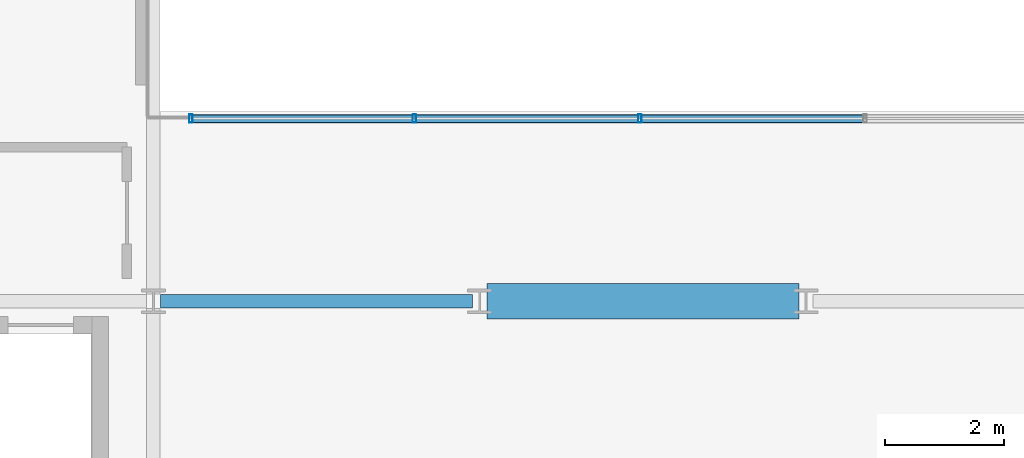
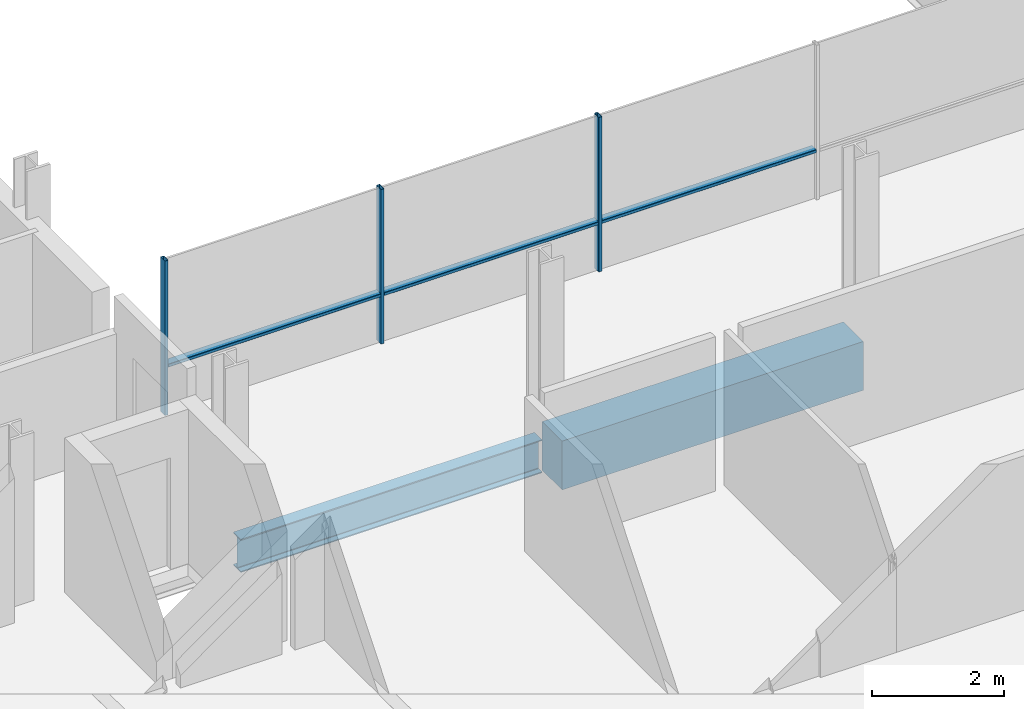
# One storey, part 4 of 40: 6 members, 2 beams, 1 element without a shape of its own.
"""IFC4 building model written with IfcOpenShell, lengths in metres."""

from ifc_helpers import new_model, si_unit, direction, frame, origin, origin_2d, place, context, subcontext, project, spatial, rectangle, hollow_rectangle, i_section, extrude, material, layer, layer_set, material_profile, profile_set, type_object, element, aggregate, save


model = new_model("IFC4")

# Units and contexts
model_context = context("Model", 3, precision=1e-05, world=origin(), true_north=direction((0.0, 1.0)))
body_context = subcontext(model_context, "Body", "Model", "MODEL_VIEW")
ifc_project = project(units=[si_unit("LENGTHUNIT", "METRE"), si_unit("AREAUNIT", "SQUARE_METRE"), si_unit("VOLUMEUNIT", "CUBIC_METRE"), si_unit("PLANEANGLEUNIT", "RADIAN"), si_unit("MASSUNIT", "GRAM", prefix="KILO")], contexts=[model_context])

# Site, building, storey
site_placement = place(None, origin())
site = spatial("IfcSite", under=ifc_project, at=site_placement, CompositionType="ELEMENT")
building_placement = place(site_placement, origin())
building = spatial("IfcBuilding", under=site, at=building_placement, Name="Brevholm Reach", CompositionType="ELEMENT")
storey_placement = place(building_placement, frame((0.0, 0.0, 131.39990234375)))
storey = spatial("IfcBuildingStorey", under=building, at=storey_placement, Name="L39", CompositionType="ELEMENT", Elevation=131.39990234375)

# Beams
ifc_material_1 = material(Name="Concrete C50/60", Category="concrete")
ifc_material_profile_1 = material_profile(ifc_material_1, rectangle(XDim=0.60009765625, YDim=0.89990234375, at=origin_2d()), Name="RC 600x900")
ifc_profile_set_1 = profile_set([ifc_material_profile_1], Name="Concrete C50/60")
beam_type_1 = type_object("IfcBeamType", Name="BM-CB600", PredefinedType="LINTEL", material=ifc_profile_set_1)
beam_1_placement = place(storey_placement, frame((27.3701171875, 10.0, -0.669921875), z_axis=(1.0, 0.0, 0.0), x_axis=(0.0, 1.0, 0.0)))
element("IfcBeam", 1, at=beam_1_placement, inside=storey, type_object=beam_type_1, Name="L39 CB-02 Framing Beam", PredefinedType="LINTEL", context=body_context, shape_type="SweptSolid", body=[
    extrude(rectangle(XDim=0.60009765625, YDim=0.89990234375, at=origin_2d()), origin(), (0.0, 0.0, 1.0), 5.259765625),
])
ifc_material_2 = material(Name="Structural Steel S355J2", Category="steel")
ifc_material_profile_2 = material_profile(ifc_material_2, i_section(OverallWidth=0.22900390625, OverallDepth=0.6123046875, WebThickness=0.011962890625, FlangeThickness=0.01953125, FilletRadius=0.0126953125, at=origin_2d()), Name="UKB 610x229x125")
ifc_profile_set_2 = profile_set([ifc_material_profile_2], Name="Structural Steel S355J2")
beam_type_2 = type_object("IfcBeamType", Name="BM-SP610", PredefinedType="SPANDREL", material=ifc_profile_set_2)
beam_2_placement = place(storey_placement, frame((21.8701171875, 10.0, -0.526123046875), z_axis=(1.0, 0.0, 0.0), x_axis=(0.0, 1.0, 0.0)))
element("IfcBeam", 2, at=beam_2_placement, inside=storey, type_object=beam_type_2, Name="L39 SP-01 Framing Beam", PredefinedType="SPANDREL", context=body_context, shape_type="SweptSolid", body=[
    extrude(i_section(OverallWidth=0.22900390625, OverallDepth=0.6123046875, WebThickness=0.011962890625, FlangeThickness=0.01953125, FilletRadius=0.0126953125, at=origin_2d()), origin(), (0.0, 0.0, 1.0), 5.259765625),
])

# Curtain wall, members
ifc_material_3 = material(Name="Dark Anodised Aluminium 6063-T6 and Solar-Control Glass", Category="aluminium")
ifc_layer = layer(ifc_material_3, 0.139892578125)
ifc_layer_set = layer_set([ifc_layer], Name="Dark Anodised Aluminium 6063-T6 and Solar-Control Glass")
curtain_wall_type = type_object("IfcCurtainWallType", Name="CW-02", PredefinedType="NOTDEFINED", material=ifc_layer_set)
curtain_wall_placement = place(storey_placement, origin())
curtain_wall = element("IfcCurtainWall", 3, at=curtain_wall_placement, inside=storey, type_object=curtain_wall_type, Name="L39 Curtain Wall CW-02", PredefinedType="NOTDEFINED")
ifc_material_4 = material(Name="Dark Anodised Aluminium 6063-T6", Category="aluminium")
ifc_material_profile_3 = material_profile(ifc_material_4, hollow_rectangle(XDim=0.06005859375, YDim=0.139892578125, WallThickness=0.0048828125, InnerFilletRadius=0.0048828125, OuterFilletRadius=0.010009765625, at=origin_2d()), Name="RHS 140x60x5")
ifc_profile_set_3 = profile_set([ifc_material_profile_3], Name="Dark Anodised Aluminium 6063-T6")
member_type_1 = type_object("IfcMemberType", Name="CWM-140", PredefinedType="MULLION", material=ifc_profile_set_3)
member_1_placement = place(storey_placement, frame((22.3798828125, 13.080078125, 0.0), z_axis=(0.0, 0.0, 1.0), x_axis=(1.0, 0.0, 0.0)))
member_1 = element("IfcMember", 4, at=member_1_placement, type_object=member_type_1, Name="CM-140 Mullion 1", PredefinedType="MULLION", context=body_context, shape_type="SweptSolid", body=[
    extrude(hollow_rectangle(XDim=0.06005859375, YDim=0.139892578125, WallThickness=0.0048828125, InnerFilletRadius=0.0048828125, OuterFilletRadius=0.010009765625, at=origin_2d()), origin(), (0.0, 0.0, 1.0), 2.85009765625),
])
member_2_placement = place(storey_placement, frame((26.14990234375, 13.080078125, 0.0), z_axis=(0.0, 0.0, 1.0), x_axis=(1.0, 0.0, 0.0)))
member_2 = element("IfcMember", 5, at=member_2_placement, type_object=member_type_1, Name="CM-140 Mullion 2", PredefinedType="MULLION", context=body_context, shape_type="SweptSolid", body=[
    extrude(hollow_rectangle(XDim=0.06005859375, YDim=0.139892578125, WallThickness=0.0048828125, InnerFilletRadius=0.0048828125, OuterFilletRadius=0.010009765625, at=origin_2d()), origin(), (0.0, 0.0, 1.0), 2.85009765625),
])
member_3_placement = place(storey_placement, frame((29.949951171875, 13.080078125, 0.0), z_axis=(0.0, 0.0, 1.0), x_axis=(1.0, 0.0, 0.0)))
member_3 = element("IfcMember", 6, at=member_3_placement, type_object=member_type_1, Name="CM-140 Mullion 3", PredefinedType="MULLION", context=body_context, shape_type="SweptSolid", body=[
    extrude(hollow_rectangle(XDim=0.06005859375, YDim=0.139892578125, WallThickness=0.0048828125, InnerFilletRadius=0.0048828125, OuterFilletRadius=0.010009765625, at=origin_2d()), origin(), (0.0, 0.0, 1.0), 2.85009765625),
])
ifc_material_5 = material(Name="Dark Anodised Aluminium 6063-T6", Category="aluminium")
ifc_material_profile_4 = material_profile(ifc_material_5, hollow_rectangle(XDim=0.06005859375, YDim=0.139892578125, WallThickness=0.0048828125, InnerFilletRadius=0.0048828125, OuterFilletRadius=0.010009765625, at=origin_2d()), Name="RHS 140x60x5")
ifc_profile_set_4 = profile_set([ifc_material_profile_4], Name="Dark Anodised Aluminium 6063-T6")
member_type_2 = type_object("IfcMemberType", Name="CWT-140", PredefinedType="NOTDEFINED", material=ifc_profile_set_4)
member_4_placement = place(storey_placement, frame((22.409912109375, 13.080078125, 0.900146484375), z_axis=(1.0, 0.0, 0.0), x_axis=(0.0, 0.0, 1.0)))
member_4 = element("IfcMember", 7, at=member_4_placement, type_object=member_type_2, Name="CT-140 Transom 1.1", ObjectType="TRANSOM", PredefinedType="USERDEFINED", context=body_context, shape_type="SweptSolid", body=[
    extrude(hollow_rectangle(XDim=0.06005859375, YDim=0.139892578125, WallThickness=0.0048828125, InnerFilletRadius=0.0048828125, OuterFilletRadius=0.010009765625, at=origin_2d()), origin(), (0.0, 0.0, 1.0), 3.710205078125),
])
member_5_placement = place(storey_placement, frame((26.179931640625, 13.080078125, 0.900146484375), z_axis=(1.0, 0.0, 0.0), x_axis=(0.0, 0.0, 1.0)))
member_5 = element("IfcMember", 8, at=member_5_placement, type_object=member_type_2, Name="CT-140 Transom 2.1", ObjectType="TRANSOM", PredefinedType="USERDEFINED", context=body_context, shape_type="SweptSolid", body=[
    extrude(hollow_rectangle(XDim=0.06005859375, YDim=0.139892578125, WallThickness=0.0048828125, InnerFilletRadius=0.0048828125, OuterFilletRadius=0.010009765625, at=origin_2d()), origin(), (0.0, 0.0, 1.0), 3.739990234375),
])
member_6_placement = place(storey_placement, frame((29.97998046875, 13.080078125, 0.900146484375), z_axis=(1.0, 0.0, 0.0), x_axis=(0.0, 0.0, 1.0)))
member_6 = element("IfcMember", 9, at=member_6_placement, type_object=member_type_2, Name="CT-140 Transom 3.1", ObjectType="TRANSOM", PredefinedType="USERDEFINED", context=body_context, shape_type="SweptSolid", body=[
    extrude(hollow_rectangle(XDim=0.06005859375, YDim=0.139892578125, WallThickness=0.0048828125, InnerFilletRadius=0.0048828125, OuterFilletRadius=0.010009765625, at=origin_2d()), origin(), (0.0, 0.0, 1.0), 3.739990234375),
])
aggregate(curtain_wall, [member_1, member_2, member_3, member_4, member_5, member_6])

save(model, "model.ifc")
